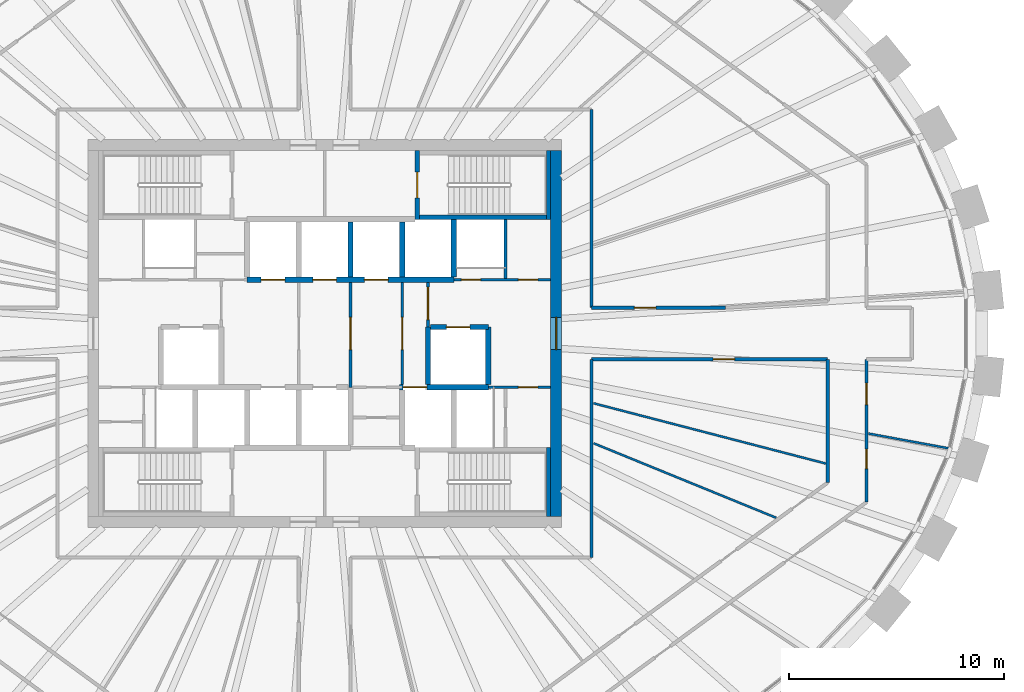
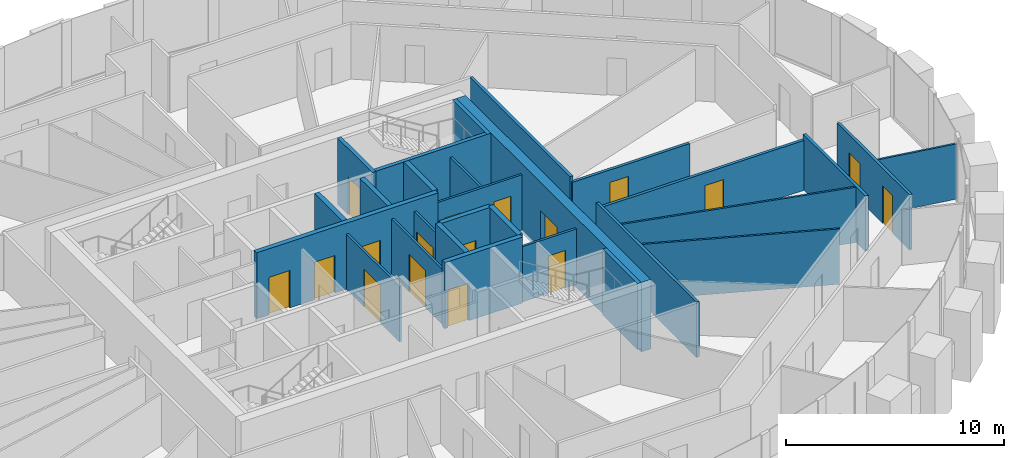
# One storey, part 9 of 12: 28 walls, 17 doors, 17 openings.
"""IFC4 building model written with IfcOpenShell, lengths in metres."""

from ifc_helpers import new_model, si_unit, direction, frame, frame_2d, origin, place, context, subcontext, project, spatial, rectangle, extrude, source, transform, mapped, material, layer, layer_set, type_object, element, fill, save


model = new_model("IFC4")

# Units and contexts
model_context = context("Model", 3, precision=1e-05, world=origin(), true_north=direction((0.0, 1.0)))
body_context = subcontext(model_context, "Body", "Model", "MODEL_VIEW")
ifc_project = project(units=[si_unit("LENGTHUNIT", "METRE"), si_unit("AREAUNIT", "SQUARE_METRE"), si_unit("VOLUMEUNIT", "CUBIC_METRE"), si_unit("PLANEANGLEUNIT", "RADIAN"), si_unit("MASSUNIT", "GRAM", prefix="KILO")], contexts=[model_context])

# Site, building, storey
site_placement = place(None, origin())
site = spatial("IfcSite", under=ifc_project, at=site_placement, CompositionType="ELEMENT")
building_placement = place(site_placement, origin())
building = spatial("IfcBuilding", under=site, at=building_placement, Name="Embergate Tower", CompositionType="ELEMENT")
storey_placement = place(building_placement, frame((0.0, 0.0, 293.5)))
storey = spatial("IfcBuildingStorey", under=building, at=storey_placement, Name="L68", CompositionType="ELEMENT", Elevation=293.5)

# Wall, opening, door
ifc_material_1 = material(Name="Concrete C50", Category="concrete")
ifc_layer_1 = layer(ifc_material_1, 0.5)
ifc_layer_set_1 = layer_set([ifc_layer_1], Name="Concrete C50")
wall_type_1 = type_object("IfcWallType", Name="Core outer wall C50 500", PredefinedType="SHEAR", material=ifc_layer_set_1)
shared_shape_1 = source(origin(), body_context, "Body", "SweptSolid", [
    extrude(rectangle(XDim=17.0, YDim=0.5, at=frame_2d((8.5, 0.0))), origin(), (0.0, 0.0, 1.0), 3.89990234375),
])
wall_1_placement = place(storey_placement, frame((10.75, -8.5, -0.199951171875), z_axis=(0.0, 0.0, 1.0), x_axis=(0.0, 1.0, 0.0)))
wall_1 = element("IfcWall", 1, at=wall_1_placement, inside=storey, type_object=wall_type_1, Name="CW-L68-E", PredefinedType="SHEAR", context=body_context, shape_type="MappedRepresentation", body=[
    mapped(shared_shape_1, transform((0.0, 0.0, 0.0))),
])
shared_shape_2 = source(origin(), body_context, "Body", "SweptSolid", [
    extrude(rectangle(XDim=1.5, YDim=2.10009765625, at=frame_2d((0.75, 1.050048828125))), frame((0.0, 0.260009765625, 0.0), z_axis=(0.0, -1.0, 0.0), x_axis=(1.0, 0.0, 0.0)), (0.0, 0.0, 1.0), 0.52001953125),
])
opening_1_placement = place(wall_1_placement, frame((7.75, 0.0, 0.199951171875)))
opening_1 = element("IfcOpeningElement", 2, at=opening_1_placement, cuts=wall_1, Name="Opening IF-3", PredefinedType="OPENING", context=body_context, shape_type="MappedRepresentation", body=[
    mapped(shared_shape_2, transform((0.0, 0.0, 0.0))),
])
ifc_material_2 = material(Name="Lobby fire door pair 1500")
door_type_1 = type_object("IfcDoorType", Name="Lobby fire door pair 1500", OperationType="DOUBLE_DOOR_SINGLE_SWING", PredefinedType="DOOR", material=ifc_material_2)
shared_shape_3 = source(origin(), body_context, "Body", "SweptSolid", [
    extrude(rectangle(XDim=1.5, YDim=2.10009765625, at=frame_2d((0.75, 1.050048828125))), frame((0.0, 0.02490234375, 0.0), z_axis=(0.0, -1.0, 0.0), x_axis=(1.0, 0.0, 0.0)), (0.0, 0.0, 1.0), 0.050048828125),
])
door_1_placement = place(opening_1_placement, origin())
door_1 = element("IfcDoor", 3, at=door_1_placement, inside=storey, type_object=door_type_1, Name="IF-3 door", OperationType="DOUBLE_DOOR_SINGLE_SWING", OverallHeight=2.10009765625, OverallWidth=1.5, PredefinedType="DOOR", context=body_context, shape_type="MappedRepresentation", body=[
    mapped(shared_shape_3, transform((0.0, 0.0, 0.0))),
])
fill(opening_1, door_1)

# Walls
ifc_layer_2 = layer(ifc_material_1, 0.25)
ifc_layer_set_2 = layer_set([ifc_layer_2], Name="Concrete C50")
wall_type_2 = type_object("IfcWallType", Name="Hoistway wall reinforced concrete 250", PredefinedType="SHEAR", material=ifc_layer_set_2)
shared_shape_4 = source(origin(), body_context, "Body", "SweptSolid", [
    extrude(rectangle(XDim=2.675048828125, YDim=0.25, at=frame_2d((1.33740234375, 0.0))), origin(), (0.0, 0.0, 1.0), 3.699951171875),
])
for number, where, z_axis, x_axis, name in (
    (4, (6.0, 2.625, 0.0), (0.0, 0.0, 1.0), (0.0, 1.0, 0.0), "HW-1 wall"),
    (5, (4.800048828125, -2.375, 0.0), (0.0, 0.0, 1.0), (0.0, 1.0, 0.0), "HW-1 wall"),
):
    element("IfcWall", number, at=place(storey_placement, frame(where, z_axis=z_axis, x_axis=x_axis)), inside=storey, type_object=wall_type_2, Name=name, PredefinedType="SHEAR", context=body_context, shape_type="MappedRepresentation", body=[
        mapped(shared_shape_4, transform((0.0, 0.0, 0.0))),
    ])

# Wall, opening, door
wall_2_placement = place(storey_placement, frame((7.60009765625, 0.300048828125, 0.0), z_axis=(0.0, 0.0, 1.0), x_axis=(-1.0, 0.0, 0.0)))
wall_2 = element("IfcWall", 6, at=wall_2_placement, inside=storey, type_object=wall_type_2, Name="HW-1 wall", PredefinedType="SHEAR", context=body_context, shape_type="MappedRepresentation", body=[
    mapped(shared_shape_4, transform((0.0, 0.0, 0.0))),
])
shared_shape_5 = source(origin(), body_context, "Body", "SweptSolid", [
    extrude(rectangle(XDim=1.10009765625, YDim=2.10009765625, at=frame_2d((0.550048828125, 1.050048828125))), frame((0.0, 0.135009765625, 0.0), z_axis=(0.0, -1.0, 0.0), x_axis=(1.0, 0.0, 0.0)), (0.0, 0.0, 1.0), 0.27001953125),
])
opening_2_placement = place(wall_2_placement, frame((0.85009765625, 0.0, 0.0)))
opening_2 = element("IfcOpeningElement", 7, at=opening_2_placement, cuts=wall_2, Name="Opening LD", PredefinedType="OPENING", context=body_context, shape_type="MappedRepresentation", body=[
    mapped(shared_shape_5, transform((0.0, 0.0, 0.0))),
])
ifc_material_3 = material(Name="Landing door sliding 1100")
door_type_2 = type_object("IfcDoorType", Name="Landing door sliding 1100", OperationType="SLIDING_TO_LEFT", PredefinedType="DOOR", material=ifc_material_3)
shared_shape_6 = source(origin(), body_context, "Body", "SweptSolid", [
    extrude(rectangle(XDim=1.10009765625, YDim=2.10009765625, at=frame_2d((0.550048828125, 1.050048828125))), frame((0.0, 0.02490234375, 0.0), z_axis=(0.0, -1.0, 0.0), x_axis=(1.0, 0.0, 0.0)), (0.0, 0.0, 1.0), 0.050048828125),
])
door_2_placement = place(opening_2_placement, origin())
door_2 = element("IfcDoor", 8, at=door_2_placement, inside=storey, type_object=door_type_2, Name="LD door", OperationType="SLIDING_TO_LEFT", OverallHeight=2.10009765625, OverallWidth=1.10009765625, PredefinedType="DOOR", context=body_context, shape_type="MappedRepresentation", body=[
    mapped(shared_shape_6, transform((0.0, 0.0, 0.0))),
])
fill(opening_2, door_2)

# Walls
wall_3_placement = place(storey_placement, frame((7.60009765625, -2.375, 0.0), z_axis=(0.0, 0.0, 1.0), x_axis=(0.0, 1.0, 0.0)))
element("IfcWall", 9, at=wall_3_placement, inside=storey, type_object=wall_type_2, Name="HW-1 wall", PredefinedType="SHEAR", context=body_context, shape_type="MappedRepresentation", body=[
    mapped(shared_shape_4, transform((0.0, 0.0, 0.0))),
])
ifc_layer_3 = layer(ifc_material_1, 0.199951171875)
ifc_layer_set_3 = layer_set([ifc_layer_3], Name="Concrete C50")
wall_type_3 = type_object("IfcWallType", Name="Stair enclosure wall reinforced concrete 250", PredefinedType="SHEAR", material=ifc_layer_set_3)
shared_shape_7 = source(origin(), body_context, "Body", "SweptSolid", [
    extrude(rectangle(XDim=6.300048828125, YDim=0.199951171875, at=frame_2d((3.14990234375, 0.0))), origin(), (0.0, 0.0, 1.0), 3.699951171875),
])
wall_4_placement = place(storey_placement, frame((10.5, 5.39990234375, 0.0), z_axis=(0.0, 0.0, 1.0), x_axis=(-1.0, 0.0, 0.0)))
element("IfcWall", 10, at=wall_4_placement, inside=storey, type_object=wall_type_3, Name="SE-1 wall", PredefinedType="SHEAR", context=body_context, shape_type="MappedRepresentation", body=[
    mapped(shared_shape_7, transform((0.0, 0.0, 0.0))),
])
ifc_material_4 = material(Name="Core partition blockwork 120")
ifc_layer_4 = layer(ifc_material_4, 0.1201171875)
ifc_layer_set_4 = layer_set([ifc_layer_4], Name="Core partition blockwork 120")
wall_type_4 = type_object("IfcWallType", Name="Core partition blockwork 120", PredefinedType="PARTITIONING", material=ifc_layer_set_4)
shared_shape_8 = source(origin(), body_context, "Body", "SweptSolid", [
    extrude(rectangle(XDim=2.739990234375, YDim=0.1201171875, at=frame_2d((1.3701171875, 0.0))), origin(), (0.0, 0.0, 1.0), 3.10009765625),
])
wall_5_placement = place(storey_placement, frame((8.39990234375, 2.56005859375, 0.0), z_axis=(0.0, 0.0, 1.0), x_axis=(0.0, 1.0, 0.0)))
element("IfcWall", 11, at=wall_5_placement, inside=storey, type_object=wall_type_4, Name="IP-3 wall", PredefinedType="PARTITIONING", context=body_context, shape_type="MappedRepresentation", body=[
    mapped(shared_shape_8, transform((0.0, 0.0, 0.0))),
])
shared_shape_9 = source(origin(), body_context, "Body", "SweptSolid", [
    extrude(rectangle(XDim=2.550048828125, YDim=0.25, at=frame_2d((1.27490234375, 0.0))), origin(), (0.0, 0.0, 1.0), 3.699951171875),
])
for number, where, z_axis, x_axis, name in (
    (12, (1.199951171875, 2.625, 0.0), (0.0, 0.0, 1.0), (0.0, 1.0, 0.0), "HW-1 wall"),
    (13, (3.60009765625, 2.625, 0.0), (0.0, 0.0, 1.0), (0.0, 1.0, 0.0), "HW-1 wall"),
):
    element("IfcWall", number, at=place(storey_placement, frame(where, z_axis=z_axis, x_axis=x_axis)), inside=storey, type_object=wall_type_2, Name=name, PredefinedType="SHEAR", context=body_context, shape_type="MappedRepresentation", body=[
        mapped(shared_shape_9, transform((0.0, 0.0, 0.0))),
    ])

# Wall, opening, door
shared_shape_10 = source(origin(), body_context, "Body", "SweptSolid", [
    extrude(rectangle(XDim=4.75, YDim=0.1201171875, at=frame_2d((2.375, 0.0))), origin(), (0.0, 0.0, 1.0), 3.10009765625),
])
wall_6_placement = place(storey_placement, frame((3.60009765625, -2.375, 0.0), z_axis=(0.0, 0.0, 1.0), x_axis=(0.0, 1.0, 0.0)))
wall_6 = element("IfcWall", 14, at=wall_6_placement, inside=storey, type_object=wall_type_4, Name="IP-3 wall", PredefinedType="PARTITIONING", context=body_context, shape_type="MappedRepresentation", body=[
    mapped(shared_shape_10, transform((0.0, 0.0, 0.0))),
])
shared_shape_11 = source(origin(), body_context, "Body", "SweptSolid", [
    extrude(rectangle(XDim=1.5, YDim=2.10009765625, at=frame_2d((0.75, 1.050048828125))), frame((0.0, 0.070068359375, 0.0), z_axis=(0.0, -1.0, 0.0), x_axis=(1.0, 0.0, 0.0)), (0.0, 0.0, 1.0), 0.14013671875),
])
opening_3_placement = place(wall_6_placement, frame((1.625, 0.0, 0.0)))
opening_3 = element("IfcOpeningElement", 15, at=opening_3_placement, cuts=wall_6, Name="Opening IF-3", PredefinedType="OPENING", context=body_context, shape_type="MappedRepresentation", body=[
    mapped(shared_shape_11, transform((0.0, 0.0, 0.0))),
])
door_3_placement = place(opening_3_placement, origin())
door_3 = element("IfcDoor", 16, at=door_3_placement, inside=storey, type_object=door_type_1, Name="IF-3 door", OperationType="DOUBLE_DOOR_SINGLE_SWING", OverallHeight=2.10009765625, OverallWidth=1.5, PredefinedType="DOOR", context=body_context, shape_type="MappedRepresentation", body=[
    mapped(shared_shape_3, transform((0.0, 0.0, 0.0))),
])
fill(opening_3, door_3)

shared_shape_12 = source(origin(), body_context, "Body", "SweptSolid", [
    extrude(rectangle(XDim=2.074951171875, YDim=0.1201171875, at=frame_2d((1.03759765625, 0.0))), origin(), (0.0, 0.0, 1.0), 3.10009765625),
])
wall_7_placement = place(storey_placement, frame((4.800048828125, 0.300048828125, 0.0), z_axis=(0.0, 0.0, 1.0), x_axis=(0.0, 1.0, 0.0)))
wall_7 = element("IfcWall", 17, at=wall_7_placement, inside=storey, type_object=wall_type_4, Name="IP-3 wall", PredefinedType="PARTITIONING", context=body_context, shape_type="MappedRepresentation", body=[
    mapped(shared_shape_12, transform((0.0, 0.0, 0.0))),
])
opening_4_placement = place(wall_7_placement, frame((0.35009765625, 0.0, 0.0)))
opening_4 = element("IfcOpeningElement", 18, at=opening_4_placement, cuts=wall_7, Name="Opening IF-3", PredefinedType="OPENING", context=body_context, shape_type="MappedRepresentation", body=[
    mapped(shared_shape_11, transform((0.0, 0.0, 0.0))),
])
door_4_placement = place(opening_4_placement, origin())
door_4 = element("IfcDoor", 19, at=door_4_placement, inside=storey, type_object=door_type_1, Name="IF-3 door", OperationType="DOUBLE_DOOR_SINGLE_SWING", OverallHeight=2.10009765625, OverallWidth=1.5, PredefinedType="DOOR", context=body_context, shape_type="MappedRepresentation", body=[
    mapped(shared_shape_3, transform((0.0, 0.0, 0.0))),
])
fill(opening_4, door_4)

shared_shape_13 = source(origin(), body_context, "Body", "SweptSolid", [
    extrude(rectangle(XDim=3.199951171875, YDim=0.199951171875, at=frame_2d((1.60009765625, 0.0))), origin(), (0.0, 0.0, 1.0), 3.699951171875),
])
wall_8_placement = place(storey_placement, frame((4.300048828125, 8.5, 0.0), z_axis=(0.0, 0.0, 1.0), x_axis=(0.0, -1.0, 0.0)))
wall_8 = element("IfcWall", 20, at=wall_8_placement, inside=storey, type_object=wall_type_3, Name="SE-1 wall", PredefinedType="SHEAR", context=body_context, shape_type="MappedRepresentation", body=[
    mapped(shared_shape_13, transform((0.0, 0.0, 0.0))),
])
shared_shape_14 = source(origin(), body_context, "Body", "SweptSolid", [
    extrude(rectangle(XDim=1.199951171875, YDim=2.10009765625, at=frame_2d((0.60009765625, 1.050048828125))), frame((0.0, 0.10986328125, 0.0), z_axis=(0.0, -1.0, 0.0), x_axis=(1.0, 0.0, 0.0)), (0.0, 0.0, 1.0), 0.219970703125),
])
opening_5_placement = place(wall_8_placement, frame((1.0, 0.0, 0.0)))
opening_5 = element("IfcOpeningElement", 21, at=opening_5_placement, cuts=wall_8, Name="Opening IF-2", PredefinedType="OPENING", context=body_context, shape_type="MappedRepresentation", body=[
    mapped(shared_shape_14, transform((0.0, 0.0, 0.0))),
])
ifc_material_5 = material(Name="Stair enclosure door 1200")
door_type_3 = type_object("IfcDoorType", Name="Stair enclosure door 1200", OperationType="SINGLE_SWING_LEFT", PredefinedType="DOOR", material=ifc_material_5)
shared_shape_15 = source(origin(), body_context, "Body", "SweptSolid", [
    extrude(rectangle(XDim=1.199951171875, YDim=2.10009765625, at=frame_2d((0.60009765625, 1.050048828125))), frame((0.0, 0.02490234375, 0.0), z_axis=(0.0, -1.0, 0.0), x_axis=(1.0, 0.0, 0.0)), (0.0, 0.0, 1.0), 0.050048828125),
])
door_5_placement = place(opening_5_placement, origin())
door_5 = element("IfcDoor", 22, at=door_5_placement, inside=storey, type_object=door_type_3, Name="IF-2 door", OperationType="SINGLE_SWING_RIGHT", OverallHeight=2.10009765625, OverallWidth=1.199951171875, PredefinedType="DOOR", context=body_context, shape_type="MappedRepresentation", body=[
    mapped(shared_shape_15, transform((0.0, 0.0, 0.0))),
])
fill(opening_5, door_5)

# Walls
shared_shape_16 = source(origin(), body_context, "Body", "SweptSolid", [
    extrude(rectangle(XDim=3.197998046875, YDim=0.199951171875, at=frame_2d((1.59912109375, 0.0))), origin(), (0.0, 0.0, 1.0), 3.699951171875),
])
for number, where, z_axis, x_axis, name in (
    (23, (10.39990234375, 5.302001953125, 0.0), (0.0, 0.0, 1.0), (0.0, 1.0, 0.0), "SE-1 wall"),
    (24, (10.39990234375, -8.5, 0.0), (0.0, 0.0, 1.0), (0.0, 1.0, 0.0), "SE-1 wall"),
):
    element("IfcWall", number, at=place(storey_placement, frame(where, z_axis=z_axis, x_axis=x_axis)), inside=storey, type_object=wall_type_3, Name=name, PredefinedType="SHEAR", context=body_context, shape_type="MappedRepresentation", body=[
        mapped(shared_shape_16, transform((0.0, 0.0, 0.0))),
    ])
ifc_material_6 = material(Name="Corridor wall dry-lined 150")
ifc_layer_5 = layer(ifc_material_6, 0.14990234375)
ifc_layer_set_5 = layer_set([ifc_layer_5], Name="Corridor wall dry-lined 150")
wall_type_5 = type_object("IfcWallType", Name="Corridor wall dry-lined 150", PredefinedType="PARTITIONING", material=ifc_layer_set_5)
shared_shape_17 = source(origin(), body_context, "Body", "SweptSolid", [
    extrude(rectangle(XDim=9.199951171875, YDim=0.14990234375, at=frame_2d((4.60009765625, 0.0))), origin(), (0.0, 0.0, 1.0), 3.10009765625),
])
for number, where, z_axis, x_axis, name in (
    (25, (12.39990234375, -10.39990234375, 0.0), (0.0, 0.0, 1.0), (0.0, 1.0, 0.0), "IP-2 wall"),
    (26, (12.39990234375, 1.199951171875, 0.0), (0.0, 0.0, 1.0), (0.0, 1.0, 0.0), "IP-2 wall"),
):
    element("IfcWall", number, at=place(storey_placement, frame(where, z_axis=z_axis, x_axis=x_axis)), inside=storey, type_object=wall_type_5, Name=name, PredefinedType="PARTITIONING", context=body_context, shape_type="MappedRepresentation", body=[
        mapped(shared_shape_17, transform((0.0, 0.0, 0.0))),
    ])

# Wall, openings, doors
shared_shape_18 = source(origin(), body_context, "Body", "SweptSolid", [
    extrude(rectangle(XDim=4.5, YDim=0.1201171875, at=frame_2d((2.25, 0.0))), origin(), (0.0, 0.0, 1.0), 3.10009765625),
])
wall_9_placement = place(storey_placement, frame((6.0, 2.5, 0.0), z_axis=(0.0, 0.0, 1.0), x_axis=(1.0, 0.0, 0.0)))
wall_9 = element("IfcWall", 27, at=wall_9_placement, inside=storey, type_object=wall_type_4, Name="IP-3 wall", PredefinedType="PARTITIONING", context=body_context, shape_type="MappedRepresentation", body=[
    mapped(shared_shape_18, transform((0.0, 0.0, 0.0))),
])
shared_shape_19 = source(origin(), body_context, "Body", "SweptSolid", [
    extrude(rectangle(XDim=0.89990234375, YDim=2.10009765625, at=frame_2d((0.449951171875, 1.050048828125))), frame((0.0, 0.070068359375, 0.0), z_axis=(0.0, -1.0, 0.0), x_axis=(1.0, 0.0, 0.0)), (0.0, 0.0, 1.0), 0.14013671875),
])
opening_6_placement = place(wall_9_placement, frame((0.35009765625, 0.0, 0.0)))
opening_6 = element("IfcOpeningElement", 28, at=opening_6_placement, cuts=wall_9, Name="Opening ID-1", PredefinedType="OPENING", context=body_context, shape_type="MappedRepresentation", body=[
    mapped(shared_shape_19, transform((0.0, 0.0, 0.0))),
])
opening_7_placement = place(wall_9_placement, frame((3.0, 0.0, 0.0)))
opening_7 = element("IfcOpeningElement", 29, at=opening_7_placement, cuts=wall_9, Name="Opening ID-1", PredefinedType="OPENING", context=body_context, shape_type="MappedRepresentation", body=[
    mapped(shared_shape_19, transform((0.0, 0.0, 0.0))),
])
ifc_material_7 = material(Name="Interior door 900")
door_type_4 = type_object("IfcDoorType", Name="Interior door 900", OperationType="SINGLE_SWING_LEFT", PredefinedType="DOOR", material=ifc_material_7)
shared_shape_20 = source(origin(), body_context, "Body", "SweptSolid", [
    extrude(rectangle(XDim=0.89990234375, YDim=2.10009765625, at=frame_2d((0.449951171875, 1.050048828125))), frame((0.0, 0.02490234375, 0.0), z_axis=(0.0, -1.0, 0.0), x_axis=(1.0, 0.0, 0.0)), (0.0, 0.0, 1.0), 0.050048828125),
])
door_6_placement = place(opening_6_placement, origin())
door_6 = element("IfcDoor", 30, at=door_6_placement, inside=storey, type_object=door_type_4, Name="ID-1 door", OperationType="SINGLE_SWING_RIGHT", OverallHeight=2.10009765625, OverallWidth=0.89990234375, PredefinedType="DOOR", context=body_context, shape_type="MappedRepresentation", body=[
    mapped(shared_shape_20, transform((0.0, 0.0, 0.0))),
])
fill(opening_6, door_6)
door_7_placement = place(opening_7_placement, origin())
door_7 = element("IfcDoor", 31, at=door_7_placement, inside=storey, type_object=door_type_4, Name="ID-1 door", OperationType="SINGLE_SWING_LEFT", OverallHeight=2.10009765625, OverallWidth=0.89990234375, PredefinedType="DOOR", context=body_context, shape_type="MappedRepresentation", body=[
    mapped(shared_shape_20, transform((0.0, 0.0, 0.0))),
])
fill(opening_7, door_7)

# Wall, opening, door
shared_shape_21 = source(origin(), body_context, "Body", "SweptSolid", [
    extrude(rectangle(XDim=2.89990234375, YDim=0.1201171875, at=frame_2d((1.449951171875, 0.0))), origin(), (0.0, 0.0, 1.0), 3.10009765625),
])
wall_10_placement = place(storey_placement, frame((10.5, -2.5, 0.0), z_axis=(0.0, 0.0, 1.0), x_axis=(-1.0, 0.0, 0.0)))
wall_10 = element("IfcWall", 32, at=wall_10_placement, inside=storey, type_object=wall_type_4, Name="IP-3 wall", PredefinedType="PARTITIONING", context=body_context, shape_type="MappedRepresentation", body=[
    mapped(shared_shape_21, transform((0.0, 0.0, 0.0))),
])
opening_8_placement = place(wall_10_placement, frame((0.60009765625, 0.0, 0.0)))
opening_8 = element("IfcOpeningElement", 33, at=opening_8_placement, cuts=wall_10, Name="Opening ID-1", PredefinedType="OPENING", context=body_context, shape_type="MappedRepresentation", body=[
    mapped(shared_shape_19, transform((0.0, 0.0, 0.0))),
])
door_8_placement = place(opening_8_placement, origin())
door_8 = element("IfcDoor", 34, at=door_8_placement, inside=storey, type_object=door_type_4, Name="ID-1 door", OperationType="SINGLE_SWING_RIGHT", OverallHeight=2.10009765625, OverallWidth=0.89990234375, PredefinedType="DOOR", context=body_context, shape_type="MappedRepresentation", body=[
    mapped(shared_shape_20, transform((0.0, 0.0, 0.0))),
])
fill(opening_8, door_8)

shared_shape_22 = source(origin(), body_context, "Body", "SweptSolid", [
    extrude(rectangle(XDim=4.875, YDim=0.1201171875, at=frame_2d((2.4375, 0.0))), origin(), (0.0, 0.0, 1.0), 3.10009765625),
])
wall_11_placement = place(storey_placement, frame((1.199951171875, -2.5, 0.0), z_axis=(0.0, 0.0, 1.0), x_axis=(0.0, 1.0, 0.0)))
wall_11 = element("IfcWall", 35, at=wall_11_placement, inside=storey, type_object=wall_type_4, Name="IP-3 wall", PredefinedType="PARTITIONING", context=body_context, shape_type="MappedRepresentation", body=[
    mapped(shared_shape_22, transform((0.0, 0.0, 0.0))),
])
opening_9_placement = place(wall_11_placement, frame((1.75, 0.0, 0.0)))
opening_9 = element("IfcOpeningElement", 36, at=opening_9_placement, cuts=wall_11, Name="Opening IF-3", PredefinedType="OPENING", context=body_context, shape_type="MappedRepresentation", body=[
    mapped(shared_shape_11, transform((0.0, 0.0, 0.0))),
])
door_9_placement = place(opening_9_placement, origin())
door_9 = element("IfcDoor", 37, at=door_9_placement, inside=storey, type_object=door_type_1, Name="IF-3 door", OperationType="DOUBLE_DOOR_SINGLE_SWING", OverallHeight=2.10009765625, OverallWidth=1.5, PredefinedType="DOOR", context=body_context, shape_type="MappedRepresentation", body=[
    mapped(shared_shape_3, transform((0.0, 0.0, 0.0))),
])
fill(opening_9, door_9)

# Wall, openings, doors
shared_shape_23 = source(origin(), body_context, "Body", "SweptSolid", [
    extrude(rectangle(XDim=9.60009765625, YDim=0.25, at=frame_2d((4.800048828125, 0.0))), origin(), (0.0, 0.0, 1.0), 3.699951171875),
])
wall_12_placement = place(storey_placement, frame((-3.60009765625, 2.5, 0.0), z_axis=(0.0, 0.0, 1.0), x_axis=(1.0, 0.0, 0.0)))
wall_12 = element("IfcWall", 38, at=wall_12_placement, inside=storey, type_object=wall_type_2, Name="HW-1 wall", PredefinedType="SHEAR", context=body_context, shape_type="MappedRepresentation", body=[
    mapped(shared_shape_23, transform((0.0, 0.0, 0.0))),
])
opening_10_placement = place(wall_12_placement, frame((0.64990234375, 0.0, 0.0)))
opening_10 = element("IfcOpeningElement", 39, at=opening_10_placement, cuts=wall_12, Name="Opening LD", PredefinedType="OPENING", context=body_context, shape_type="MappedRepresentation", body=[
    mapped(shared_shape_5, transform((0.0, 0.0, 0.0))),
])
opening_11_placement = place(wall_12_placement, frame((3.050048828125, 0.0, 0.0)))
opening_11 = element("IfcOpeningElement", 40, at=opening_11_placement, cuts=wall_12, Name="Opening LD", PredefinedType="OPENING", context=body_context, shape_type="MappedRepresentation", body=[
    mapped(shared_shape_5, transform((0.0, 0.0, 0.0))),
])
opening_12_placement = place(wall_12_placement, frame((5.449951171875, 0.0, 0.0)))
opening_12 = element("IfcOpeningElement", 41, at=opening_12_placement, cuts=wall_12, Name="Opening LD", PredefinedType="OPENING", context=body_context, shape_type="MappedRepresentation", body=[
    mapped(shared_shape_5, transform((0.0, 0.0, 0.0))),
])
door_10_placement = place(opening_10_placement, origin())
door_10 = element("IfcDoor", 42, at=door_10_placement, inside=storey, type_object=door_type_2, Name="LD door", OperationType="SLIDING_TO_LEFT", OverallHeight=2.10009765625, OverallWidth=1.10009765625, PredefinedType="DOOR", context=body_context, shape_type="MappedRepresentation", body=[
    mapped(shared_shape_6, transform((0.0, 0.0, 0.0))),
])
fill(opening_10, door_10)
door_11_placement = place(opening_11_placement, origin())
door_11 = element("IfcDoor", 43, at=door_11_placement, inside=storey, type_object=door_type_2, Name="LD door", OperationType="SLIDING_TO_LEFT", OverallHeight=2.10009765625, OverallWidth=1.10009765625, PredefinedType="DOOR", context=body_context, shape_type="MappedRepresentation", body=[
    mapped(shared_shape_6, transform((0.0, 0.0, 0.0))),
])
fill(opening_11, door_11)
door_12_placement = place(opening_12_placement, origin())
door_12 = element("IfcDoor", 44, at=door_12_placement, inside=storey, type_object=door_type_2, Name="LD door", OperationType="SLIDING_TO_LEFT", OverallHeight=2.10009765625, OverallWidth=1.10009765625, PredefinedType="DOOR", context=body_context, shape_type="MappedRepresentation", body=[
    mapped(shared_shape_6, transform((0.0, 0.0, 0.0))),
])
fill(opening_12, door_12)

# Wall, opening, door
shared_shape_24 = source(origin(), body_context, "Body", "SweptSolid", [
    extrude(rectangle(XDim=4.125, YDim=0.25, at=frame_2d((2.0625, 0.0))), origin(), (0.0, 0.0, 1.0), 3.699951171875),
])
wall_13_placement = place(storey_placement, frame((7.60009765625, -2.5, 0.0), z_axis=(0.0, 0.0, 1.0), x_axis=(-1.0, 0.0, 0.0)))
wall_13 = element("IfcWall", 45, at=wall_13_placement, inside=storey, type_object=wall_type_2, Name="HW-1 wall", PredefinedType="SHEAR", context=body_context, shape_type="MappedRepresentation", body=[
    mapped(shared_shape_24, transform((0.0, 0.0, 0.0))),
])
opening_13_placement = place(wall_13_placement, frame((2.85009765625, 0.0, 0.0)))
opening_13 = element("IfcOpeningElement", 46, at=opening_13_placement, cuts=wall_13, Name="Opening LD", PredefinedType="OPENING", context=body_context, shape_type="MappedRepresentation", body=[
    mapped(shared_shape_5, transform((0.0, 0.0, 0.0))),
])
door_13_placement = place(opening_13_placement, origin())
door_13 = element("IfcDoor", 47, at=door_13_placement, inside=storey, type_object=door_type_2, Name="LD door", OperationType="SLIDING_TO_RIGHT", OverallHeight=2.10009765625, OverallWidth=1.10009765625, PredefinedType="DOOR", context=body_context, shape_type="MappedRepresentation", body=[
    mapped(shared_shape_6, transform((0.0, 0.0, 0.0))),
])
fill(opening_13, door_13)

# Wall, openings, doors
shared_shape_25 = source(origin(), body_context, "Body", "SweptSolid", [
    extrude(rectangle(XDim=6.634033203125, YDim=0.14990234375, at=frame_2d((3.31689453125, 0.0))), origin(), (0.0, 0.0, 1.0), 3.10009765625),
])
wall_14_placement = place(storey_placement, frame((25.166015625, -1.199951171875, 0.0), z_axis=(0.0, 0.0, 1.0), x_axis=(0.0, -1.0, 0.0)))
wall_14 = element("IfcWall", 48, at=wall_14_placement, inside=storey, type_object=wall_type_5, Name="IP-2 wall", PredefinedType="PARTITIONING", context=body_context, shape_type="MappedRepresentation", body=[
    mapped(shared_shape_25, transform((0.0, 0.0, 0.0))),
])
shared_shape_26 = source(origin(), body_context, "Body", "SweptSolid", [
    extrude(rectangle(XDim=0.89990234375, YDim=2.10009765625, at=frame_2d((0.449951171875, 1.050048828125))), frame((0.0, 0.0849609375, 0.0), z_axis=(0.0, -1.0, 0.0), x_axis=(1.0, 0.0, 0.0)), (0.0, 0.0, 1.0), 0.169921875),
])
opening_14_placement = place(wall_14_placement, frame((4.173095703125, 0.0, 0.0)))
opening_14 = element("IfcOpeningElement", 49, at=opening_14_placement, cuts=wall_14, Name="Opening IF-1c", PredefinedType="OPENING", context=body_context, shape_type="MappedRepresentation", body=[
    mapped(shared_shape_26, transform((0.0, 0.0, 0.0))),
])
shared_shape_27 = source(origin(), body_context, "Body", "SweptSolid", [
    extrude(rectangle(XDim=1.0, YDim=2.10009765625, at=frame_2d((0.5, 1.050048828125))), frame((0.0, 0.0849609375, 0.0), z_axis=(0.0, -1.0, 0.0), x_axis=(1.0, 0.0, 0.0)), (0.0, 0.0, 1.0), 0.169921875),
])
opening_15_placement = place(wall_14_placement, frame((1.10498046875, 0.0, 0.0)))
opening_15 = element("IfcOpeningElement", 50, at=opening_15_placement, cuts=wall_14, Name="Opening ID-2", PredefinedType="OPENING", context=body_context, shape_type="MappedRepresentation", body=[
    mapped(shared_shape_27, transform((0.0, 0.0, 0.0))),
])
ifc_material_8 = material(Name="Escape fire door 900")
door_type_5 = type_object("IfcDoorType", Name="Escape fire door 900", OperationType="SINGLE_SWING_LEFT", PredefinedType="DOOR", material=ifc_material_8)
door_14_placement = place(opening_14_placement, origin())
door_14 = element("IfcDoor", 51, at=door_14_placement, inside=storey, type_object=door_type_5, Name="IF-1 door", OperationType="SINGLE_SWING_LEFT", OverallHeight=2.10009765625, OverallWidth=0.89990234375, PredefinedType="DOOR", context=body_context, shape_type="MappedRepresentation", body=[
    mapped(shared_shape_20, transform((0.0, 0.0, 0.0))),
])
fill(opening_14, door_14)
ifc_material_9 = material(Name="Interior door 1000")
door_type_6 = type_object("IfcDoorType", Name="Interior door 1000", OperationType="SINGLE_SWING_LEFT", PredefinedType="DOOR", material=ifc_material_9)
shared_shape_28 = source(origin(), body_context, "Body", "SweptSolid", [
    extrude(rectangle(XDim=1.0, YDim=2.10009765625, at=frame_2d((0.5, 1.050048828125))), frame((0.0, 0.02490234375, 0.0), z_axis=(0.0, -1.0, 0.0), x_axis=(1.0, 0.0, 0.0)), (0.0, 0.0, 1.0), 0.050048828125),
])
door_15_placement = place(opening_15_placement, origin())
door_15 = element("IfcDoor", 52, at=door_15_placement, inside=storey, type_object=door_type_6, Name="ID-2 door", OperationType="SINGLE_SWING_RIGHT", OverallHeight=2.10009765625, OverallWidth=1.0, PredefinedType="DOOR", context=body_context, shape_type="MappedRepresentation", body=[
    mapped(shared_shape_28, transform((0.0, 0.0, 0.0))),
])
fill(opening_15, door_15)

# Wall
shared_shape_29 = source(origin(), body_context, "Body", "SweptSolid", [
    extrude(rectangle(XDim=5.72314453125, YDim=0.14990234375, at=frame_2d((2.861572265625, 0.0))), origin(), (0.0, 0.0, 1.0), 3.10009765625),
])
wall_15_placement = place(storey_placement, frame((23.365966796875, -1.199951171875, 0.0), z_axis=(0.0, 0.0, 1.0), x_axis=(0.0, -1.0, 0.0)))
element("IfcWall", 53, at=wall_15_placement, inside=storey, type_object=wall_type_5, Name="IP-2 wall", PredefinedType="PARTITIONING", context=body_context, shape_type="MappedRepresentation", body=[
    mapped(shared_shape_29, transform((0.0, 0.0, 0.0))),
])

# Wall, opening, door
shared_shape_30 = source(origin(), body_context, "Body", "SweptSolid", [
    extrude(rectangle(XDim=10.966064453125, YDim=0.14990234375, at=frame_2d((5.48291015625, 0.0))), origin(), (0.0, 0.0, 1.0), 2.800048828125),
])
wall_16_placement = place(storey_placement, frame((12.39990234375, -1.199951171875, 0.0), z_axis=(0.0, 0.0, 1.0), x_axis=(1.0, 0.0, 0.0)))
wall_16 = element("IfcWall", 54, at=wall_16_placement, inside=storey, type_object=wall_type_5, Name="IP-2 wall", PredefinedType="PARTITIONING", context=body_context, shape_type="MappedRepresentation", body=[
    mapped(shared_shape_30, transform((0.0, 0.0, 0.0))),
])
opening_16_placement = place(wall_16_placement, frame((5.637939453125, 0.0, 0.0)))
opening_16 = element("IfcOpeningElement", 55, at=opening_16_placement, cuts=wall_16, Name="Opening ID-2", PredefinedType="OPENING", context=body_context, shape_type="MappedRepresentation", body=[
    mapped(shared_shape_27, transform((0.0, 0.0, 0.0))),
])
door_16_placement = place(opening_16_placement, origin())
door_16 = element("IfcDoor", 56, at=door_16_placement, inside=storey, type_object=door_type_6, Name="ID-2 door", OperationType="SINGLE_SWING_RIGHT", OverallHeight=2.10009765625, OverallWidth=1.0, PredefinedType="DOOR", context=body_context, shape_type="MappedRepresentation", body=[
    mapped(shared_shape_28, transform((0.0, 0.0, 0.0))),
])
fill(opening_16, door_16)

shared_shape_31 = source(origin(), body_context, "Body", "SweptSolid", [
    extrude(rectangle(XDim=6.22509765625, YDim=0.14990234375, at=frame_2d((3.112548828125, 0.0))), origin(), (0.0, 0.0, 1.0), 2.800048828125),
])
wall_17_placement = place(storey_placement, frame((18.625, 1.199951171875, 0.0), z_axis=(0.0, 0.0, 1.0), x_axis=(-1.0, 0.0, 0.0)))
wall_17 = element("IfcWall", 57, at=wall_17_placement, inside=storey, type_object=wall_type_5, Name="IP-2 wall", PredefinedType="PARTITIONING", context=body_context, shape_type="MappedRepresentation", body=[
    mapped(shared_shape_31, transform((0.0, 0.0, 0.0))),
])
opening_17_placement = place(wall_17_placement, frame((3.239013671875, 0.0, 0.0)))
opening_17 = element("IfcOpeningElement", 58, at=opening_17_placement, cuts=wall_17, Name="Opening ID-2", PredefinedType="OPENING", context=body_context, shape_type="MappedRepresentation", body=[
    mapped(shared_shape_27, transform((0.0, 0.0, 0.0))),
])
door_17_placement = place(opening_17_placement, origin())
door_17 = element("IfcDoor", 59, at=door_17_placement, inside=storey, type_object=door_type_6, Name="ID-2 door", OperationType="SINGLE_SWING_RIGHT", OverallHeight=2.10009765625, OverallWidth=1.0, PredefinedType="DOOR", context=body_context, shape_type="MappedRepresentation", body=[
    mapped(shared_shape_28, transform((0.0, 0.0, 0.0))),
])
fill(opening_17, door_17)

# Walls
ifc_material_10 = material(Name="Partition dry-lined 100")
ifc_layer_6 = layer(ifc_material_10, 0.10009765625)
ifc_layer_set_6 = layer_set([ifc_layer_6], Name="Partition dry-lined 100")
wall_type_6 = type_object("IfcWallType", Name="Partition dry-lined 100", PredefinedType="PARTITIONING", material=ifc_layer_set_6)
shared_shape_32 = source(origin(), body_context, "Body", "SweptSolid", [
    extrude(rectangle(XDim=3.846435546875, YDim=0.10009765625, at=frame_2d((1.92333984375, 0.0))), origin(), (0.0, 0.0, 1.0), 3.10009765625),
])
wall_18_placement = place(storey_placement, frame((25.25, -4.64501953125, 0.0), z_axis=(0.0, 0.0, 1.0), x_axis=(0.983490961004, -0.180957259104, 0.0)))
element("IfcWall", 60, at=wall_18_placement, inside=storey, type_object=wall_type_6, Name="IP-1 wall", PredefinedType="PARTITIONING", context=body_context, shape_type="MappedRepresentation", body=[
    mapped(shared_shape_32, transform((0.0, 0.0, 0.0))),
])
shared_shape_33 = source(origin(), body_context, "Body", "SweptSolid", [
    extrude(rectangle(XDim=9.15234375, YDim=0.10009765625, at=frame_2d((4.576171875, 0.0))), origin(), (0.0, 0.0, 1.0), 3.10009765625),
])
wall_19_placement = place(storey_placement, frame((12.493896484375, -5.09912109375, 0.0), z_axis=(0.0, 0.0, 1.0), x_axis=(0.925888207932, -0.377797599797, 0.0)))
element("IfcWall", 61, at=wall_19_placement, inside=storey, type_object=wall_type_6, Name="IP-1 wall", PredefinedType="PARTITIONING", context=body_context, shape_type="MappedRepresentation", body=[
    mapped(shared_shape_33, transform((0.0, 0.0, 0.0))),
])
shared_shape_34 = source(origin(), body_context, "Body", "SweptSolid", [
    extrude(rectangle(XDim=11.1474609375, YDim=0.10009765625, at=frame_2d((5.57373046875, 0.0))), origin(), (0.0, 0.0, 1.0), 3.10009765625),
])
wall_20_placement = place(storey_placement, frame((12.488037109375, -3.239990234375, 0.0), z_axis=(0.0, 0.0, 1.0), x_axis=(0.967939530388, -0.251183330483, 0.0)))
element("IfcWall", 62, at=wall_20_placement, inside=storey, type_object=wall_type_6, Name="IP-1 wall", PredefinedType="PARTITIONING", context=body_context, shape_type="MappedRepresentation", body=[
    mapped(shared_shape_34, transform((0.0, 0.0, 0.0))),
])

save(model, "model.ifc")
